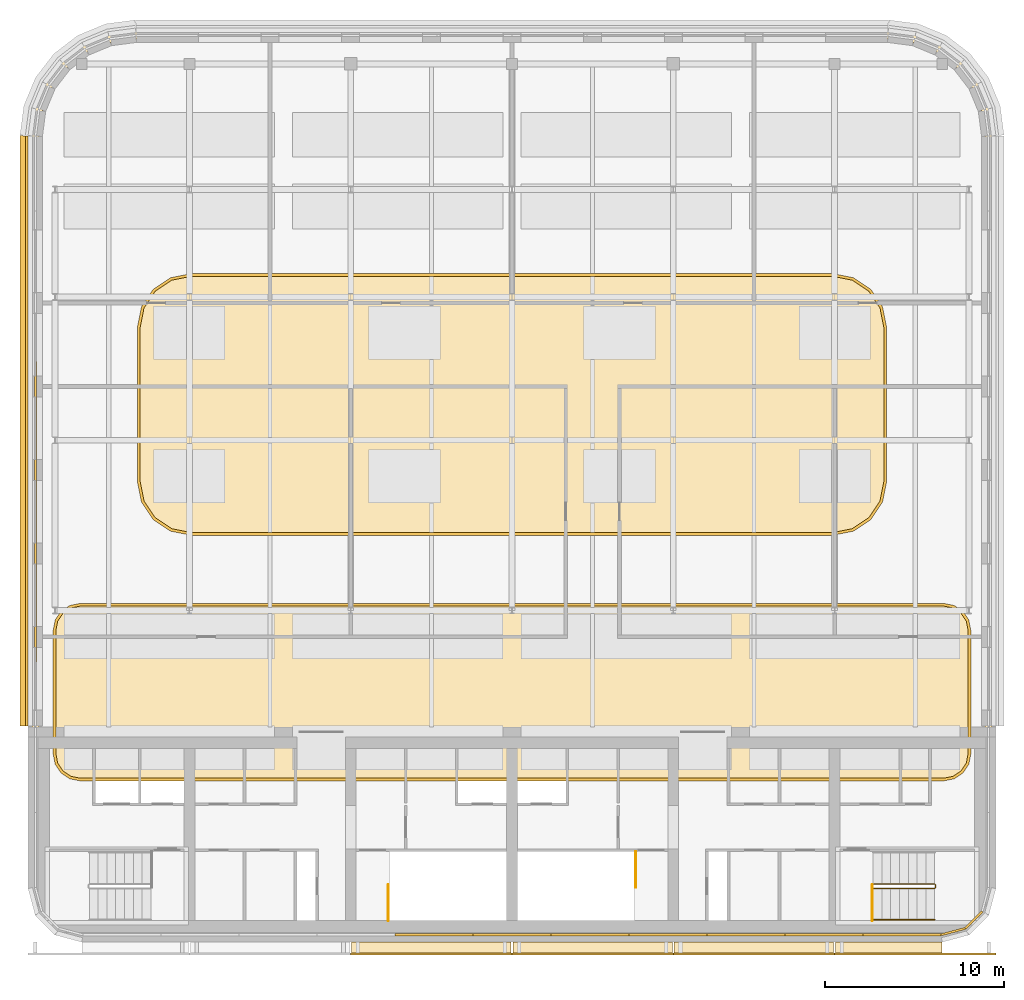
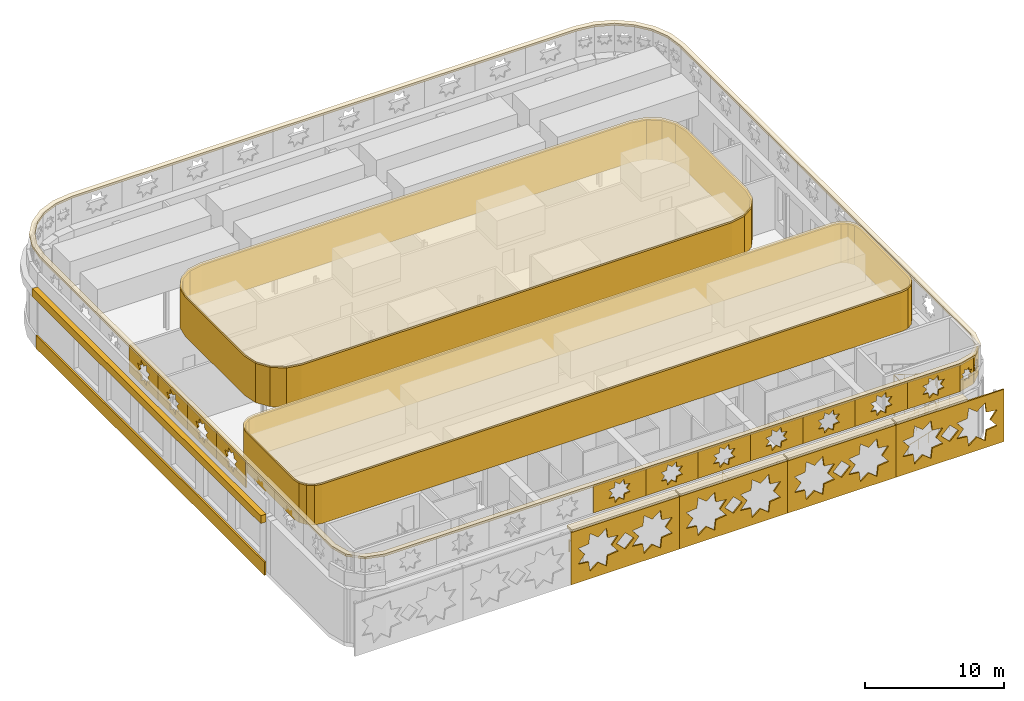
# One storey, part 11 of 14: 28 coverings, 5 railings.
"""IFC4 building model written with IfcOpenShell, lengths in metres."""

from ifc_helpers import new_model, si_unit, direction, frame, origin, origin_2d, place, context, subcontext, project, spatial, polyline, rectangle, circle, outline, extrude, material, layer, layer_set, type_object, element, save


model = new_model("IFC4")

# Units and contexts
model_context = context("Model", 3, precision=1e-05, world=origin(), true_north=direction((0.0, 1.0)))
body_context = subcontext(model_context, "Body", "Model", "MODEL_VIEW")
ifc_project = project(units=[si_unit("LENGTHUNIT", "METRE"), si_unit("AREAUNIT", "SQUARE_METRE"), si_unit("VOLUMEUNIT", "CUBIC_METRE"), si_unit("PLANEANGLEUNIT", "RADIAN"), si_unit("MASSUNIT", "GRAM", prefix="KILO")], contexts=[model_context])

# Site, building, storey
site_placement = place(None, origin())
site = spatial("IfcSite", under=ifc_project, at=site_placement, CompositionType="ELEMENT")
building_placement = place(site_placement, origin())
building = spatial("IfcBuilding", under=site, at=building_placement, Name="Zellij Exchange Tower", CompositionType="ELEMENT")
storey_placement = place(building_placement, frame((0.0, 0.0, 305.5)))
storey = spatial("IfcBuildingStorey", under=building, at=storey_placement, Name="L71", CompositionType="ELEMENT", Elevation=305.5)

# Railings
ifc_material_1 = material(Name="Stainless steel", Category="steel")
railing_type_1 = type_object("IfcRailingType", Name="CORE-RG stair guard", PredefinedType="GUARDRAIL", material=ifc_material_1)
railing_1_placement = place(storey_placement, frame((-6.89990234375, -12.800048828125, 0.0)))
element("IfcRailing", 1, at=railing_1_placement, inside=storey, type_object=railing_type_1, Name="ST2 top well guard L71", PredefinedType="GUARDRAIL", context=body_context, shape_type="SweptSolid", body=[
    extrude(circle(Radius=0.02392578125, at=origin_2d()), frame((0.0, 0.0, 1.076171875), z_axis=(0.0, 1.0, 0.0), x_axis=(-1.0, 0.0, 0.0)), (0.0, 0.0, 1.0), 2.0),
    extrude(circle(Radius=0.02099609375, at=origin_2d()), origin(), (0.0, 0.0, 1.0), 1.052001953125),
    extrude(circle(Radius=0.02099609375, at=origin_2d()), frame((0.0, 1.0, 0.0)), (0.0, 0.0, 1.0), 1.052001953125),
    extrude(circle(Radius=0.02099609375, at=origin_2d()), frame((0.0, 2.0, 0.0)), (0.0, 0.0, 1.0), 1.052001953125),
])
railing_2_placement = place(storey_placement, frame((6.89990234375, -8.949951171875, 0.0)))
element("IfcRailing", 2, at=railing_2_placement, inside=storey, type_object=railing_type_1, Name="ST3 top well guard L71", PredefinedType="GUARDRAIL", context=body_context, shape_type="SweptSolid", body=[
    extrude(circle(Radius=0.02392578125, at=origin_2d()), frame((0.0, 0.0, 1.076171875), z_axis=(0.0, -1.0, 0.0), x_axis=(1.0, 0.0, 0.0)), (0.0, 0.0, 1.0), 2.0),
    extrude(circle(Radius=0.02099609375, at=origin_2d()), origin(), (0.0, 0.0, 1.0), 1.052001953125),
    extrude(circle(Radius=0.02099609375, at=origin_2d()), frame((0.0, -1.0, 0.0)), (0.0, 0.0, 1.0), 1.052001953125),
    extrude(circle(Radius=0.02099609375, at=origin_2d()), frame((0.0, -2.0, 0.0)), (0.0, 0.0, 1.0), 1.052001953125),
])
railing_3_placement = place(storey_placement, frame((20.10009765625, -10.949951171875, 0.0)))
element("IfcRailing", 3, at=railing_3_placement, inside=storey, type_object=railing_type_1, Name="ST4 stair guard L71", PredefinedType="GUARDRAIL", context=body_context, shape_type="SweptSolid", body=[
    extrude(circle(Radius=0.02392578125, at=origin_2d()), frame((0.0, 0.0, 1.076171875), z_axis=(0.0, 1.0, 0.0), x_axis=(-1.0, 0.0, 0.0)), (0.0, 0.0, 1.0), 0.14990234375),
    extrude(circle(Radius=0.02392578125, at=origin_2d()), frame((0.0, 0.14990234375, 1.076171875), z_axis=(0.192591976565, -0.773200141208, 0.604210122556), x_axis=(0.970351222016, 0.241699205484, 0.0)), (0.0, 0.0, 1.0), 0.258544921875),
    extrude(circle(Radius=0.02392578125, at=origin_2d()), frame((0.0498046875, -0.050048828125, 1.232421875), z_axis=(0.952738578955, 0.0, 0.303791376065), x_axis=(0.0, 1.0, 0.0)), (0.0, 0.0, 1.0), 3.600341796875),
    extrude(circle(Radius=0.02392578125, at=origin_2d()), frame((3.47998046875, -0.050048828125, 2.326171875), z_axis=(0.705375805398, 0.708833529934, 0.0), x_axis=(-0.708833529934, 0.705375805398, 0.0)), (0.0, 0.0, 1.0), 0.070556640625),
    extrude(circle(Radius=0.02392578125, at=origin_2d()), frame((3.52978515625, 0.0, 2.326171875), z_axis=(0.0, 1.0, 0.0), x_axis=(-1.0, 0.0, 0.0)), (0.0, 0.0, 1.0), 0.14990234375),
    extrude(circle(Radius=0.02392578125, at=origin_2d()), frame((3.52978515625, 0.14990234375, 2.326171875), z_axis=(-0.290469530425, 0.291893400672, 0.911276958196), x_axis=(-0.708833529934, -0.705375805398, 0.0)), (0.0, 0.0, 1.0), 0.17138671875),
    extrude(circle(Radius=0.02392578125, at=origin_2d()), frame((3.47998046875, 0.199951171875, 2.482421875), z_axis=(-0.952738578955, 0.0, 0.303791376065), x_axis=(0.0, -1.0, 0.0)), (0.0, 0.0, 1.0), 3.600341796875),
    extrude(circle(Radius=0.02392578125, at=origin_2d()), frame((0.0498046875, 0.199951171875, 3.576171875), z_axis=(-0.241699205484, -0.970351222016, 0.0), x_axis=(0.970351222016, -0.241699205484, 0.0)), (0.0, 0.0, 1.0), 0.2060546875),
    extrude(circle(Radius=0.02392578125, at=origin_2d()), frame((0.0, 0.0, 3.576171875), z_axis=(0.0, 1.0, 0.0), x_axis=(-1.0, 0.0, 0.0)), (0.0, 0.0, 1.0), 0.14990234375),
    extrude(circle(Radius=0.02392578125, at=origin_2d()), frame((0.0, 0.14990234375, 3.576171875), z_axis=(0.192591976565, -0.773200141208, 0.604210122556), x_axis=(0.970351222016, 0.241699205484, 0.0)), (0.0, 0.0, 1.0), 0.258544921875),
    extrude(circle(Radius=0.02392578125, at=origin_2d()), frame((0.0498046875, -0.050048828125, 3.732421875), z_axis=(0.952738578955, 0.0, 0.303791376065), x_axis=(0.0, 1.0, 0.0)), (0.0, 0.0, 1.0), 3.600341796875),
    extrude(circle(Radius=0.02392578125, at=origin_2d()), frame((3.47998046875, -0.050048828125, 4.826171875), z_axis=(0.705375805398, 0.708833529934, 0.0), x_axis=(-0.708833529934, 0.705375805398, 0.0)), (0.0, 0.0, 1.0), 0.070556640625),
    extrude(circle(Radius=0.02392578125, at=origin_2d()), frame((3.52978515625, 0.0, 4.826171875), z_axis=(0.0, 1.0, 0.0), x_axis=(-1.0, 0.0, 0.0)), (0.0, 0.0, 1.0), 0.14990234375),
    extrude(circle(Radius=0.02392578125, at=origin_2d()), frame((3.52978515625, 0.14990234375, 4.826171875), z_axis=(-0.290469530425, 0.291893400672, 0.911276958196), x_axis=(-0.708833529934, -0.705375805398, 0.0)), (0.0, 0.0, 1.0), 0.17138671875),
    extrude(circle(Radius=0.02392578125, at=origin_2d()), frame((3.47998046875, 0.199951171875, 4.982421875), z_axis=(-0.952738578955, 0.0, 0.303791376065), x_axis=(0.0, -1.0, 0.0)), (0.0, 0.0, 1.0), 3.600341796875),
    extrude(circle(Radius=0.02099609375, at=origin_2d()), origin(), (0.0, 0.0, 1.0), 1.052001953125),
    extrude(circle(Radius=0.02099609375, at=origin_2d()), frame((0.0, 0.14990234375, 0.0)), (0.0, 0.0, 1.0), 1.052001953125),
    extrude(circle(Radius=0.02099609375, at=origin_2d()), frame((0.0498046875, -0.050048828125, 0.15625)), (0.0, 0.0, 1.0), 1.052001953125),
    extrude(circle(Radius=0.02099609375, at=origin_2d()), frame((0.9072265625, -0.050048828125, 0.4296875)), (0.0, 0.0, 1.0), 1.052001953125),
    extrude(circle(Radius=0.02099609375, at=origin_2d()), frame((1.764892578125, -0.050048828125, 0.703125)), (0.0, 0.0, 1.0), 1.052001953125),
    extrude(circle(Radius=0.02099609375, at=origin_2d()), frame((2.62255859375, -0.050048828125, 0.9765625)), (0.0, 0.0, 1.0), 1.052001953125),
    extrude(circle(Radius=0.02099609375, at=origin_2d()), frame((3.47998046875, -0.050048828125, 1.25)), (0.0, 0.0, 1.0), 1.052001953125),
    extrude(circle(Radius=0.02099609375, at=origin_2d()), frame((3.52978515625, 0.0, 1.25)), (0.0, 0.0, 1.0), 1.052001953125),
    extrude(circle(Radius=0.02099609375, at=origin_2d()), frame((3.52978515625, 0.14990234375, 1.25)), (0.0, 0.0, 1.0), 1.052001953125),
    extrude(circle(Radius=0.02099609375, at=origin_2d()), frame((3.47998046875, 0.199951171875, 1.40625)), (0.0, 0.0, 1.0), 1.052001953125),
    extrude(circle(Radius=0.02099609375, at=origin_2d()), frame((2.62255859375, 0.199951171875, 1.6796875)), (0.0, 0.0, 1.0), 1.052001953125),
    extrude(circle(Radius=0.02099609375, at=origin_2d()), frame((1.764892578125, 0.199951171875, 1.953125)), (0.0, 0.0, 1.0), 1.052001953125),
    extrude(circle(Radius=0.02099609375, at=origin_2d()), frame((0.9072265625, 0.199951171875, 2.2265625)), (0.0, 0.0, 1.0), 1.052001953125),
    extrude(circle(Radius=0.02099609375, at=origin_2d()), frame((0.0498046875, 0.199951171875, 2.5)), (0.0, 0.0, 1.0), 1.052001953125),
    extrude(circle(Radius=0.02099609375, at=origin_2d()), frame((0.0, 0.0, 2.5)), (0.0, 0.0, 1.0), 1.052001953125),
    extrude(circle(Radius=0.02099609375, at=origin_2d()), frame((0.0, 0.14990234375, 2.5)), (0.0, 0.0, 1.0), 1.052001953125),
    extrude(circle(Radius=0.02099609375, at=origin_2d()), frame((0.0498046875, -0.050048828125, 2.65625)), (0.0, 0.0, 1.0), 1.052001953125),
    extrude(circle(Radius=0.02099609375, at=origin_2d()), frame((0.9072265625, -0.050048828125, 2.9296875)), (0.0, 0.0, 1.0), 1.052001953125),
    extrude(circle(Radius=0.02099609375, at=origin_2d()), frame((1.764892578125, -0.050048828125, 3.203125)), (0.0, 0.0, 1.0), 1.052001953125),
    extrude(circle(Radius=0.02099609375, at=origin_2d()), frame((2.62255859375, -0.050048828125, 3.4765625)), (0.0, 0.0, 1.0), 1.052001953125),
    extrude(circle(Radius=0.02099609375, at=origin_2d()), frame((3.47998046875, -0.050048828125, 3.75)), (0.0, 0.0, 1.0), 1.052001953125),
    extrude(circle(Radius=0.02099609375, at=origin_2d()), frame((3.52978515625, 0.0, 3.75)), (0.0, 0.0, 1.0), 1.052001953125),
    extrude(circle(Radius=0.02099609375, at=origin_2d()), frame((3.52978515625, 0.14990234375, 3.75)), (0.0, 0.0, 1.0), 1.052001953125),
    extrude(circle(Radius=0.02099609375, at=origin_2d()), frame((3.47998046875, 0.199951171875, 3.90625)), (0.0, 0.0, 1.0), 1.052001953125),
    extrude(circle(Radius=0.02099609375, at=origin_2d()), frame((2.62255859375, 0.199951171875, 4.1796875)), (0.0, 0.0, 1.0), 1.052001953125),
    extrude(circle(Radius=0.02099609375, at=origin_2d()), frame((1.764892578125, 0.199951171875, 4.453125)), (0.0, 0.0, 1.0), 1.052001953125),
    extrude(circle(Radius=0.02099609375, at=origin_2d()), frame((0.9072265625, 0.199951171875, 4.7265625)), (0.0, 0.0, 1.0), 1.052001953125),
    extrude(circle(Radius=0.02099609375, at=origin_2d()), frame((0.0498046875, 0.199951171875, 5.0)), (0.0, 0.0, 1.0), 1.052001953125),
])
railing_4_placement = place(storey_placement, frame((20.10009765625, -12.800048828125, 5.0)))
element("IfcRailing", 4, at=railing_4_placement, inside=storey, type_object=railing_type_1, Name="ST4 top well guard L71", PredefinedType="GUARDRAIL", context=body_context, shape_type="SweptSolid", body=[
    extrude(circle(Radius=0.02392578125, at=origin_2d()), frame((0.0, 0.0, 1.076171875), z_axis=(0.0, 1.0, 0.0), x_axis=(-1.0, 0.0, 0.0)), (0.0, 0.0, 1.0), 2.0),
    extrude(circle(Radius=0.02099609375, at=origin_2d()), origin(), (0.0, 0.0, 1.0), 1.052001953125),
    extrude(circle(Radius=0.02099609375, at=origin_2d()), frame((0.0, 1.0, 0.0)), (0.0, 0.0, 1.0), 1.052001953125),
    extrude(circle(Radius=0.02099609375, at=origin_2d()), frame((0.0, 2.0, 0.0)), (0.0, 0.0, 1.0), 1.052001953125),
])
railing_type_2 = type_object("IfcRailingType", Name="CORE-RH stair handrail", PredefinedType="HANDRAIL", material=ifc_material_1)
railing_5_placement = place(storey_placement, frame((20.14990234375, -12.75, 0.15625)))
element("IfcRailing", 5, at=railing_5_placement, inside=storey, type_object=railing_type_2, Name="ST4 stair handrail L71", PredefinedType="HANDRAIL", context=body_context, shape_type="SweptSolid", body=[
    extrude(circle(Radius=0.02392578125, at=origin_2d()), frame((0.0, 0.0, 0.8759765625), z_axis=(0.952738578955, 0.0, 0.303791376065), x_axis=(0.0, 1.0, 0.0)), (0.0, 0.0, 1.0), 3.600341796875),
    extrude(circle(Radius=0.02392578125, at=origin_2d()), frame((3.43017578125, 0.0, 1.9697265625), z_axis=(0.0, 0.0, 1.0), x_axis=(1.0, 0.0, 0.0)), (0.0, 0.0, 1.0), 2.5),
    extrude(circle(Radius=0.02392578125, at=origin_2d()), frame((3.43017578125, 0.0, 4.4697265625), z_axis=(-0.952738578955, 0.0, -0.303791376065), x_axis=(0.0, -1.0, 0.0)), (0.0, 0.0, 1.0), 3.600341796875),
    extrude(circle(Radius=0.02099609375, at=origin_2d()), origin(), (0.0, 0.0, 1.0), 0.851806640625),
    extrude(circle(Radius=0.02099609375, at=origin_2d()), frame((0.857421875, 0.0, 0.2734375)), (0.0, 0.0, 1.0), 0.851806640625),
    extrude(circle(Radius=0.02099609375, at=origin_2d()), frame((1.715087890625, 0.0, 0.546875)), (0.0, 0.0, 1.0), 0.851806640625),
    extrude(circle(Radius=0.02099609375, at=origin_2d()), frame((2.57275390625, 0.0, 0.8203125)), (0.0, 0.0, 1.0), 0.851806640625),
    extrude(circle(Radius=0.02099609375, at=origin_2d()), frame((3.43017578125, 0.0, 1.09375)), (0.0, 0.0, 1.0), 0.851806640625),
    extrude(circle(Radius=0.02099609375, at=origin_2d()), frame((3.43017578125, 0.0, 1.927001953125)), (0.0, 0.0, 1.0), 0.851806640625),
    extrude(circle(Radius=0.02099609375, at=origin_2d()), frame((3.43017578125, 0.0, 2.760498046875)), (0.0, 0.0, 1.0), 0.851806640625),
    extrude(circle(Radius=0.02099609375, at=origin_2d()), frame((3.43017578125, 0.0, 3.59375)), (0.0, 0.0, 1.0), 0.851806640625),
    extrude(circle(Radius=0.02099609375, at=origin_2d()), frame((2.57275390625, 0.0, 3.3203125)), (0.0, 0.0, 1.0), 0.851806640625),
    extrude(circle(Radius=0.02099609375, at=origin_2d()), frame((1.715087890625, 0.0, 3.046875)), (0.0, 0.0, 1.0), 0.851806640625),
    extrude(circle(Radius=0.02099609375, at=origin_2d()), frame((0.857421875, 0.0, 2.7734375)), (0.0, 0.0, 1.0), 0.851806640625),
    extrude(circle(Radius=0.02099609375, at=origin_2d()), frame((0.0, 0.0, 2.5)), (0.0, 0.0, 1.0), 0.851806640625),
])

# Coverings
ifc_material_2 = material(Name="Limestone cladding", Category="masonry")
ifc_layer_1 = layer(ifc_material_2, 0.14990234375)
ifc_layer_set_1 = layer_set([ifc_layer_1], Name="Limestone cladding")
covering_type_1 = type_object("IfcCoveringType", Name="ENV-CV1 Stone spandrel band 150", PredefinedType="CLADDING", material=ifc_layer_set_1)
covering_1_placement = place(storey_placement, frame((0.0, 0.0, -0.35009765625)))
element("IfcCovering", 6, at=covering_1_placement, inside=storey, type_object=covering_type_1, Name="Stone spandrel band", PredefinedType="CLADDING", context=body_context, shape_type="SweptSolid", body=[
    extrude(outline(polyline([(-27.0, 30.973876953125), (-27.0, -1.949951171875), (-27.14990234375, -1.949951171875), (-27.14990234375, 30.983642578125), (-27.0, 30.973876953125)])), origin(), (0.0, 0.0, 1.0), 1.150146484375),
])
ifc_layer_2 = layer(ifc_material_2, 0.449951171875)
ifc_layer_set_2 = layer_set([ifc_layer_2], Name="Limestone cladding")
covering_type_2 = type_object("IfcCoveringType", Name="ENV-CV11 Stone cornice 450", PredefinedType="CLADDING", material=ifc_layer_set_2)
covering_2_placement = place(storey_placement, frame((0.0, 0.0, 4.300048828125)))
element("IfcCovering", 7, at=covering_2_placement, inside=storey, type_object=covering_type_2, Name="Stone cornice", PredefinedType="CLADDING", context=body_context, shape_type="SweptSolid", body=[
    extrude(outline(polyline([(-27.0, 30.973876953125), (-27.0, -1.949951171875), (-27.449951171875, -1.949951171875), (-27.449951171875, 31.00341796875), (-27.0, 30.973876953125)])), origin(), (0.0, 0.0, 1.0), 0.699951171875),
])
ifc_material_3 = material(Name="Bronze-finished aluminium louvre", Category="aluminium")
ifc_layer_3 = layer(ifc_material_3, 0.14990234375)
ifc_layer_set_3 = layer_set([ifc_layer_3], Name="Bronze-finished aluminium louvre")
covering_type_3 = type_object("IfcCoveringType", Name="ENV-CV15 Louvred plant house cladding 150", PredefinedType="CLADDING", material=ifc_layer_set_3)
covering_3_placement = place(storey_placement, frame((0.0, 0.0, 5.0)))
element("IfcCovering", 8, at=covering_3_placement, inside=storey, type_object=covering_type_3, Name="Louvred plant house", PredefinedType="CLADDING", context=body_context, shape_type="SweptSolid", body=[
    extrude(outline(polyline([(17.89990234375, 8.699951171875), (19.048095703125, 8.928466796875), (20.021240234375, 9.57861328125), (20.671630859375, 10.552001953125), (20.89990234375, 11.699951171875), (20.89990234375, 20.300048828125), (20.671630859375, 21.447998046875), (20.021240234375, 22.42138671875), (19.048095703125, 23.071533203125), (17.89990234375, 23.300048828125), (-17.89990234375, 23.300048828125), (-19.048095703125, 23.071533203125), (-20.021240234375, 22.42138671875), (-20.671630859375, 21.447998046875), (-20.89990234375, 20.300048828125), (-20.89990234375, 11.699951171875), (-20.671630859375, 10.552001953125), (-20.021240234375, 9.57861328125), (-19.048095703125, 8.928466796875), (-17.89990234375, 8.699951171875), (17.89990234375, 8.699951171875)]), holes=[polyline([(17.88525390625, 8.85009765625), (-17.88525390625, 8.85009765625), (-18.989501953125, 9.069580078125), (-19.9130859375, 9.686767578125), (-20.5302734375, 10.610595703125), (-20.75, 11.71484375), (-20.75, 20.28515625), (-20.5302734375, 21.389404296875), (-19.9130859375, 22.313232421875), (-18.989501953125, 22.930419921875), (-17.88525390625, 23.14990234375), (17.88525390625, 23.14990234375), (18.989501953125, 22.930419921875), (19.9130859375, 22.313232421875), (20.5302734375, 21.389404296875), (20.75, 20.28515625), (20.75, 11.71484375), (20.5302734375, 10.610595703125), (19.9130859375, 9.686767578125), (18.989501953125, 9.069580078125), (17.88525390625, 8.85009765625)])]), origin(), (0.0, 0.0, 1.0), 3.449951171875),
])
covering_4_placement = place(storey_placement, frame((0.0, 0.0, 8.449951171875)))
element("IfcCovering", 9, at=covering_4_placement, inside=storey, type_object=covering_type_3, Name="Louvred plant house roof", PredefinedType="CLADDING", context=body_context, shape_type="SweptSolid", body=[
    extrude(outline(polyline([(17.89990234375, 8.699951171875), (19.048095703125, 8.928466796875), (20.021240234375, 9.57861328125), (20.671630859375, 10.552001953125), (20.89990234375, 11.699951171875), (20.89990234375, 20.300048828125), (20.671630859375, 21.447998046875), (20.021240234375, 22.42138671875), (19.048095703125, 23.071533203125), (17.89990234375, 23.300048828125), (-17.89990234375, 23.300048828125), (-19.048095703125, 23.071533203125), (-20.021240234375, 22.42138671875), (-20.671630859375, 21.447998046875), (-20.89990234375, 20.300048828125), (-20.89990234375, 11.699951171875), (-20.671630859375, 10.552001953125), (-20.021240234375, 9.57861328125), (-19.048095703125, 8.928466796875), (-17.89990234375, 8.699951171875), (17.89990234375, 8.699951171875)])), origin(), (0.0, 0.0, 1.0), 0.150146484375),
])
covering_5_placement = place(storey_placement, frame((0.0, 0.0, 5.0)))
element("IfcCovering", 10, at=covering_5_placement, inside=storey, type_object=covering_type_3, Name="Louvred plant house", PredefinedType="CLADDING", context=body_context, shape_type="SweptSolid", body=[
    extrude(outline(polyline([(24.10009765625, -5.0), (24.674072265625, -4.8857421875), (25.16064453125, -4.560791015625), (25.48583984375, -4.073974609375), (25.60009765625, -3.5), (25.60009765625, 3.39990234375), (25.48583984375, 3.97412109375), (25.16064453125, 4.460693359375), (24.674072265625, 4.785888671875), (24.10009765625, 4.89990234375), (-24.10009765625, 4.89990234375), (-24.674072265625, 4.785888671875), (-25.16064453125, 4.460693359375), (-25.48583984375, 3.97412109375), (-25.60009765625, 3.39990234375), (-25.60009765625, -3.5), (-25.48583984375, -4.073974609375), (-25.16064453125, -4.560791015625), (-24.674072265625, -4.8857421875), (-24.10009765625, -5.0), (24.10009765625, -5.0)]), holes=[polyline([(24.085205078125, -4.85009765625), (-24.085205078125, -4.85009765625), (-24.615478515625, -4.744384765625), (-25.052490234375, -4.452392578125), (-25.344482421875, -4.015380859375), (-25.449951171875, -3.485107421875), (-25.449951171875, 3.38525390625), (-25.344482421875, 3.91552734375), (-25.052490234375, 4.3525390625), (-24.615478515625, 4.64453125), (-24.085205078125, 4.75), (24.085205078125, 4.75), (24.615478515625, 4.64453125), (25.052490234375, 4.3525390625), (25.344482421875, 3.91552734375), (25.449951171875, 3.38525390625), (25.449951171875, -3.485107421875), (25.344482421875, -4.015380859375), (25.052490234375, -4.452392578125), (24.615478515625, -4.744384765625), (24.085205078125, -4.85009765625)])]), origin(), (0.0, 0.0, 1.0), 3.449951171875),
])
covering_6_placement = place(storey_placement, frame((0.0, 0.0, 8.449951171875)))
element("IfcCovering", 11, at=covering_6_placement, inside=storey, type_object=covering_type_3, Name="Louvred plant house roof", PredefinedType="CLADDING", context=body_context, shape_type="SweptSolid", body=[
    extrude(outline(polyline([(24.10009765625, -5.0), (24.674072265625, -4.8857421875), (25.16064453125, -4.560791015625), (25.48583984375, -4.073974609375), (25.60009765625, -3.5), (25.60009765625, 3.39990234375), (25.48583984375, 3.97412109375), (25.16064453125, 4.460693359375), (24.674072265625, 4.785888671875), (24.10009765625, 4.89990234375), (-24.10009765625, 4.89990234375), (-24.674072265625, 4.785888671875), (-25.16064453125, 4.460693359375), (-25.48583984375, 3.97412109375), (-25.60009765625, 3.39990234375), (-25.60009765625, -3.5), (-25.48583984375, -4.073974609375), (-25.16064453125, -4.560791015625), (-24.674072265625, -4.8857421875), (-24.10009765625, -5.0), (24.10009765625, -5.0)])), origin(), (0.0, 0.0, 1.0), 0.150146484375),
])
ifc_layer_4 = layer(ifc_material_2, 0.39990234375)
ifc_layer_set_4 = layer_set([ifc_layer_4], Name="Limestone cladding")
covering_type_4 = type_object("IfcCoveringType", Name="ENV-CV16 Stone coping 400", PredefinedType="CLADDING", material=ifc_layer_set_4)
covering_7_placement = place(storey_placement, frame((0.0, 0.0, 7.39990234375)))
element("IfcCovering", 12, at=covering_7_placement, inside=storey, type_object=covering_type_4, Name="Stone coping", PredefinedType="CLADDING", context=body_context, shape_type="SweptSolid", body=[
    extrude(outline(polyline([(23.972412109375, -13.7900390625), (-23.972412109375, -13.7900390625), (-25.391357421875, -13.409912109375), (-26.409912109375, -12.391357421875), (-26.7900390625, -10.972412109375), (-26.7900390625, 30.986083984375), (-26.591064453125, 32.498046875), (-26.0126953125, 33.89404296875), (-25.093017578125, 35.093017578125), (-23.89404296875, 36.0126953125), (-22.498046875, 36.591064453125), (-20.986083984375, 36.7900390625), (20.986083984375, 36.7900390625), (22.498046875, 36.591064453125), (23.89404296875, 36.0126953125), (25.093017578125, 35.093017578125), (26.0126953125, 33.89404296875), (26.591064453125, 32.498046875), (26.7900390625, 30.986083984375), (26.7900390625, -10.972412109375), (26.409912109375, -12.391357421875), (25.391357421875, -13.409912109375), (23.972412109375, -13.7900390625)]), holes=[polyline([(23.919677734375, -13.389892578125), (-23.919677734375, -13.389892578125), (-25.18408203125, -13.05126953125), (-26.05126953125, -12.18408203125), (-26.389892578125, -10.919677734375), (-26.389892578125, 30.9599609375), (-26.201416015625, 32.393798828125), (-25.663330078125, 33.6923828125), (-24.8076171875, 34.8076171875), (-23.6923828125, 35.663330078125), (-22.393798828125, 36.201416015625), (-20.9599609375, 36.389892578125), (20.9599609375, 36.389892578125), (22.393798828125, 36.201416015625), (23.6923828125, 35.663330078125), (24.8076171875, 34.8076171875), (25.663330078125, 33.6923828125), (26.201416015625, 32.393798828125), (26.389892578125, 30.9599609375), (26.389892578125, -10.919677734375), (26.05126953125, -12.18408203125), (25.18408203125, -13.05126953125), (23.919677734375, -13.389892578125)])]), origin(), (0.0, 0.0, 1.0), 0.2001953125),
])
ifc_layer_5 = layer(ifc_material_2, 0.199951171875)
ifc_layer_set_5 = layer_set([ifc_layer_5], Name="Limestone cladding")
covering_type_5 = type_object("IfcCoveringType", Name="ENV-CV19 Relief cap 720x200", PredefinedType="CLADDING", material=ifc_layer_set_5)
for number, where, z_axis, x_axis, name in (
    (13, (-4.5, -14.360107421875, 4.7998046875), (0.0, 0.0, 1.0), (1.0, 0.0, 0.0), "Rear relief cap"),
    (14, (4.5, -14.360107421875, 4.7998046875), (0.0, 0.0, 1.0), (1.0, 0.0, 0.0), "Rear relief cap"),
    (15, (13.5, -14.360107421875, 4.7998046875), (0.0, 0.0, 1.0), (1.0, 0.0, 0.0), "Rear relief cap"),
):
    element("IfcCovering", number, at=place(storey_placement, frame(where, z_axis=z_axis, x_axis=x_axis)), inside=storey, type_object=covering_type_5, Name=name, PredefinedType="CLADDING", context=body_context, shape_type="SweptSolid", body=[
        extrude(rectangle(XDim=8.89990234375, YDim=0.719970703125, at=origin_2d()), origin(), (0.0, 0.0, 1.0), 0.199951171875),
    ])
covering_8_placement = place(storey_placement, frame((21.02490234375, -14.360107421875, 4.7998046875), z_axis=(0.0, 0.0, 1.0), x_axis=(1.0, 0.0, 0.0)))
element("IfcCovering", 16, at=covering_8_placement, inside=storey, type_object=covering_type_5, Name="Rear relief cap", PredefinedType="CLADDING", context=body_context, shape_type="SweptSolid", body=[
    extrude(rectangle(XDim=5.949951171875, YDim=0.719970703125, at=origin_2d()), origin(), (0.0, 0.0, 1.0), 0.199951171875),
])
ifc_material_4 = material(Name="Limestone screen", Category="masonry")
ifc_layer_6 = layer(ifc_material_4, 0.1201171875)
ifc_layer_set_6 = layer_set([ifc_layer_6], Name="Limestone screen")
covering_type_6 = type_object("IfcCoveringType", Name="ENV-SC1 Pierced stone screen 120", PredefinedType="USERDEFINED", material=ifc_layer_set_6)
for number, where, z_axis, x_axis, name in (
    (17, (23.946044921875, -13.590087890625, 5.0), (0.0, 0.0, 1.0), (-1.0, 0.0, 0.0), "Pierced stone screen"),
    (18, (19.59228515625, -13.590087890625, 5.0), (0.0, 0.0, 1.0), (-1.0, 0.0, 0.0), "Pierced stone screen"),
    (19, (15.23828125, -13.590087890625, 5.0), (0.0, 0.0, 1.0), (-1.0, 0.0, 0.0), "Pierced stone screen"),
    (20, (10.884521484375, -13.590087890625, 5.0), (0.0, 0.0, 1.0), (-1.0, 0.0, 0.0), "Pierced stone screen"),
    (21, (6.53076171875, -13.590087890625, 5.0), (0.0, 0.0, 1.0), (-1.0, 0.0, 0.0), "Pierced stone screen"),
    (22, (2.177001953125, -13.590087890625, 5.0), (0.0, 0.0, 1.0), (-1.0, 0.0, 0.0), "Pierced stone screen"),
    (23, (-2.177001953125, -13.590087890625, 5.0), (0.0, 0.0, 1.0), (-1.0, 0.0, 0.0), "Pierced stone screen"),
):
    element("IfcCovering", number, at=place(storey_placement, frame(where, z_axis=z_axis, x_axis=x_axis)), inside=storey, type_object=covering_type_6, Name=name, ObjectType="SCREEN", PredefinedType="USERDEFINED", context=body_context, shape_type="SweptSolid", body=[
        extrude(outline(polyline([(0.0, 0.0), (4.353759765625, 0.0), (4.353759765625, 2.39990234375), (0.0, 2.39990234375), (0.0, 0.0)]), holes=[polyline([(3.063720703125, 1.5673828125), (2.597900390625, 1.620849609375), (2.544189453125, 2.0869140625), (2.177001953125, 1.795166015625), (1.8095703125, 2.0869140625), (1.756103515625, 1.620849609375), (1.2900390625, 1.5673828125), (1.581787109375, 1.199951171875), (1.2900390625, 0.83251953125), (1.756103515625, 0.779052734375), (1.8095703125, 0.31298828125), (2.177001953125, 0.604736328125), (2.544189453125, 0.31298828125), (2.597900390625, 0.779052734375), (3.063720703125, 0.83251953125), (2.772216796875, 1.199951171875), (3.063720703125, 1.5673828125)])]), frame((0.0, 0.06005859375, 0.0), z_axis=(0.0, -1.0, 0.0), x_axis=(1.0, 0.0, 0.0)), (0.0, 0.0, 1.0), 0.1201171875),
    ])
for number, where, z_axis, x_axis, name in (
    (24, (-26.590087890625, 1.629638671875, 5.0), (0.0, 0.0, 1.0), (0.0, 1.0, 0.0), "Pierced stone screen"),
    (25, (-26.590087890625, 5.821533203125, 5.0), (0.0, 0.0, 1.0), (0.0, 1.0, 0.0), "Pierced stone screen"),
    (26, (-26.590087890625, 10.013671875, 5.0), (0.0, 0.0, 1.0), (0.0, 1.0, 0.0), "Pierced stone screen"),
    (27, (-26.590087890625, 14.20556640625, 5.0), (0.0, 0.0, 1.0), (0.0, 1.0, 0.0), "Pierced stone screen"),
):
    element("IfcCovering", number, at=place(storey_placement, frame(where, z_axis=z_axis, x_axis=x_axis)), inside=storey, type_object=covering_type_6, Name=name, ObjectType="SCREEN", PredefinedType="USERDEFINED", context=body_context, shape_type="SweptSolid", body=[
        extrude(outline(polyline([(0.0, 0.0), (4.19189453125, 0.0), (4.19189453125, 2.39990234375), (0.0, 2.39990234375), (0.0, 0.0)]), holes=[polyline([(2.98291015625, 1.5673828125), (2.516845703125, 1.620849609375), (2.46337890625, 2.0869140625), (2.095947265625, 1.795166015625), (1.728515625, 2.0869140625), (1.675048828125, 1.620849609375), (1.208984375, 1.5673828125), (1.500732421875, 1.199951171875), (1.208984375, 0.83251953125), (1.675048828125, 0.779052734375), (1.728515625, 0.31298828125), (2.095947265625, 0.604736328125), (2.46337890625, 0.31298828125), (2.516845703125, 0.779052734375), (2.98291015625, 0.83251953125), (2.691162109375, 1.199951171875), (2.98291015625, 1.5673828125)])]), frame((0.0, 0.06005859375, 0.0), z_axis=(0.0, -1.0, 0.0), x_axis=(1.0, 0.0, 0.0)), (0.0, 0.0, 1.0), 0.1201171875),
    ])
covering_9_placement = place(storey_placement, frame((26.23046875, -12.287841796875, 5.0), z_axis=(0.0, 0.0, 1.0), x_axis=(-0.707106781187, -0.707106781187, 0.0)))
element("IfcCovering", 28, at=covering_9_placement, inside=storey, type_object=covering_type_6, Name="Pierced stone screen", ObjectType="SCREEN", PredefinedType="USERDEFINED", context=body_context, shape_type="SweptSolid", body=[
    extrude(outline(polyline([(0.0, 0.0), (1.333251953125, 0.0), (1.333251953125, 2.39990234375), (0.0, 2.39990234375), (0.0, 0.0)]), holes=[polyline([(1.1591796875, 1.404052734375), (0.900390625, 1.433837890625), (0.87060546875, 1.692626953125), (0.66650390625, 1.530517578125), (0.46240234375, 1.692626953125), (0.432861328125, 1.433837890625), (0.173828125, 1.404052734375), (0.3359375, 1.199951171875), (0.173828125, 0.995849609375), (0.432861328125, 0.96630859375), (0.46240234375, 0.707275390625), (0.66650390625, 0.869384765625), (0.87060546875, 0.707275390625), (0.900390625, 0.96630859375), (1.1591796875, 0.995849609375), (0.997314453125, 1.199951171875), (1.1591796875, 1.404052734375)])]), frame((0.0, 0.06005859375, 0.0), z_axis=(0.0, -1.0, 0.0), x_axis=(1.0, 0.0, 0.0)), (0.0, 0.0, 1.0), 0.1201171875),
])
covering_10_placement = place(storey_placement, frame((25.287841796875, -13.23046875, 5.0), z_axis=(0.0, 0.0, 1.0), x_axis=(-0.96591039222, -0.258876638963, 0.0)))
element("IfcCovering", 29, at=covering_10_placement, inside=storey, type_object=covering_type_6, Name="Pierced stone screen", ObjectType="SCREEN", PredefinedType="USERDEFINED", context=body_context, shape_type="SweptSolid", body=[
    extrude(outline(polyline([(0.0, 0.0), (1.38916015625, 0.0), (1.38916015625, 2.39990234375), (0.0, 2.39990234375), (0.0, 0.0)]), holes=[polyline([(1.2080078125, 1.41259765625), (0.93798828125, 1.443603515625), (0.9072265625, 1.71337890625), (0.694580078125, 1.54443359375), (0.48193359375, 1.71337890625), (0.450927734375, 1.443603515625), (0.18115234375, 1.41259765625), (0.35009765625, 1.199951171875), (0.18115234375, 0.9873046875), (0.450927734375, 0.956298828125), (0.48193359375, 0.686767578125), (0.694580078125, 0.85546875), (0.9072265625, 0.686767578125), (0.93798828125, 0.956298828125), (1.2080078125, 0.9873046875), (1.0390625, 1.199951171875), (1.2080078125, 1.41259765625)])]), frame((0.0, 0.06005859375, 0.0), z_axis=(0.0, -1.0, 0.0), x_axis=(1.0, 0.0, 0.0)), (0.0, 0.0, 1.0), 0.1201171875),
])
ifc_layer_7 = layer(ifc_material_4, 0.1201171875)
ifc_layer_set_7 = layer_set([ifc_layer_7], Name="Limestone screen")
covering_type_7 = type_object("IfcCoveringType", Name="ENV-SC5 Pierced stone relief 120", PredefinedType="USERDEFINED", material=ifc_layer_set_7)
for number, where, z_axis, x_axis, name in (
    (30, (-9.0, -14.659912109375, 0.199951171875), (0.0, 0.0, 1.0), (1.0, 0.0, 0.0), "Pierced stone relief"),
    (31, (0.0, -14.659912109375, 0.199951171875), (0.0, 0.0, 1.0), (1.0, 0.0, 0.0), "Pierced stone relief"),
    (32, (9.0, -14.659912109375, 0.199951171875), (0.0, 0.0, 1.0), (1.0, 0.0, 0.0), "Pierced stone relief"),
    (33, (18.0, -14.659912109375, 0.199951171875), (0.0, 0.0, 1.0), (1.0, 0.0, 0.0), "Pierced stone relief"),
):
    element("IfcCovering", number, at=place(storey_placement, frame(where, z_axis=z_axis, x_axis=x_axis)), inside=storey, type_object=covering_type_7, Name=name, ObjectType="SCREEN", PredefinedType="USERDEFINED", context=body_context, shape_type="SweptSolid", body=[
        extrude(outline(polyline([(0.0, 0.0), (9.0, 0.0), (9.0, 4.60009765625), (0.0, 4.60009765625), (0.0, 0.0)]), holes=[polyline([(3.9130859375, 2.98876953125), (3.0390625, 3.089111328125), (2.938720703125, 3.962890625), (2.25, 3.416015625), (1.561279296875, 3.962890625), (1.4609375, 3.089111328125), (0.5869140625, 2.98876953125), (1.134033203125, 2.300048828125), (0.5869140625, 1.611083984375), (1.4609375, 1.510986328125), (1.561279296875, 0.636962890625), (2.25, 1.18408203125), (2.938720703125, 0.636962890625), (3.0390625, 1.510986328125), (3.9130859375, 1.611083984375), (3.365966796875, 2.300048828125), (3.9130859375, 2.98876953125)]), polyline([(8.4130859375, 2.98876953125), (7.5390625, 3.089111328125), (7.438720703125, 3.962890625), (6.75, 3.416015625), (6.061279296875, 3.962890625), (5.9609375, 3.089111328125), (5.0869140625, 2.98876953125), (5.634033203125, 2.300048828125), (5.0869140625, 1.611083984375), (5.9609375, 1.510986328125), (6.061279296875, 0.636962890625), (6.75, 1.18408203125), (7.438720703125, 0.636962890625), (7.5390625, 1.510986328125), (8.4130859375, 1.611083984375), (7.865966796875, 2.300048828125), (8.4130859375, 2.98876953125)]), polyline([(5.219970703125, 2.300048828125), (4.5, 3.02001953125), (3.780029296875, 2.300048828125), (4.5, 1.580078125), (5.219970703125, 2.300048828125)])]), frame((0.0, 0.06005859375, 0.0), z_axis=(0.0, -1.0, 0.0), x_axis=(1.0, 0.0, 0.0)), (0.0, 0.0, 1.0), 0.1201171875),
    ])

save(model, "model.ifc")
